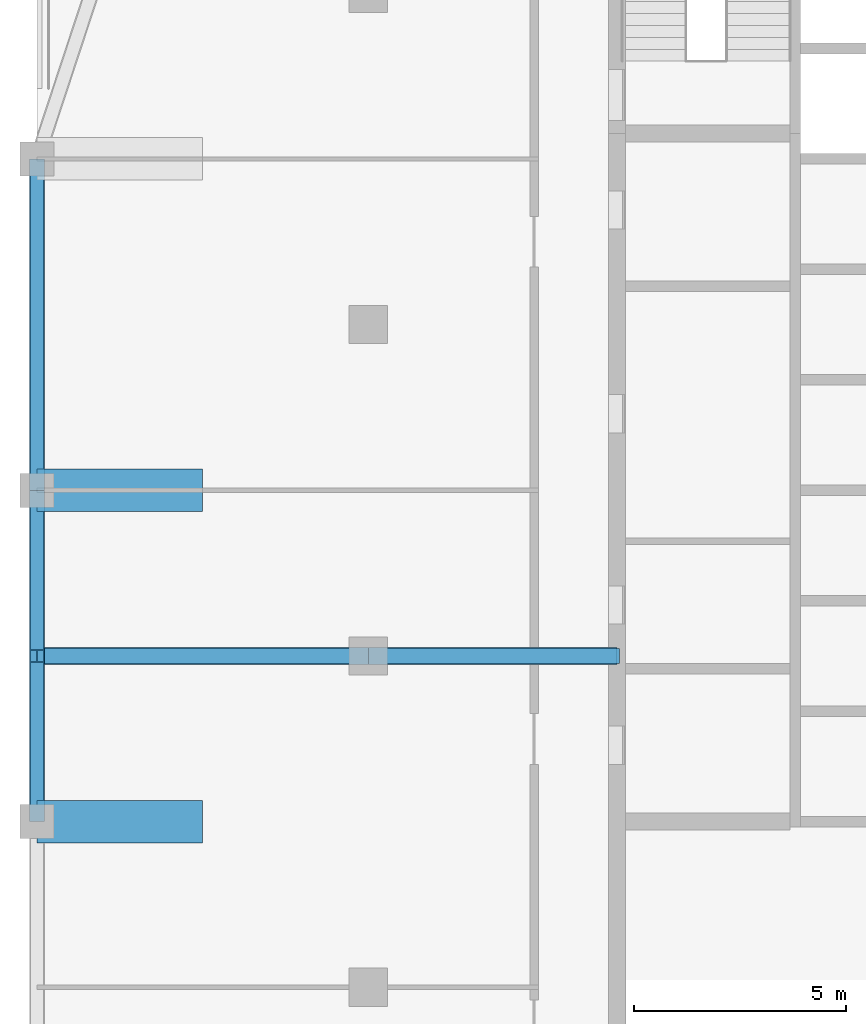
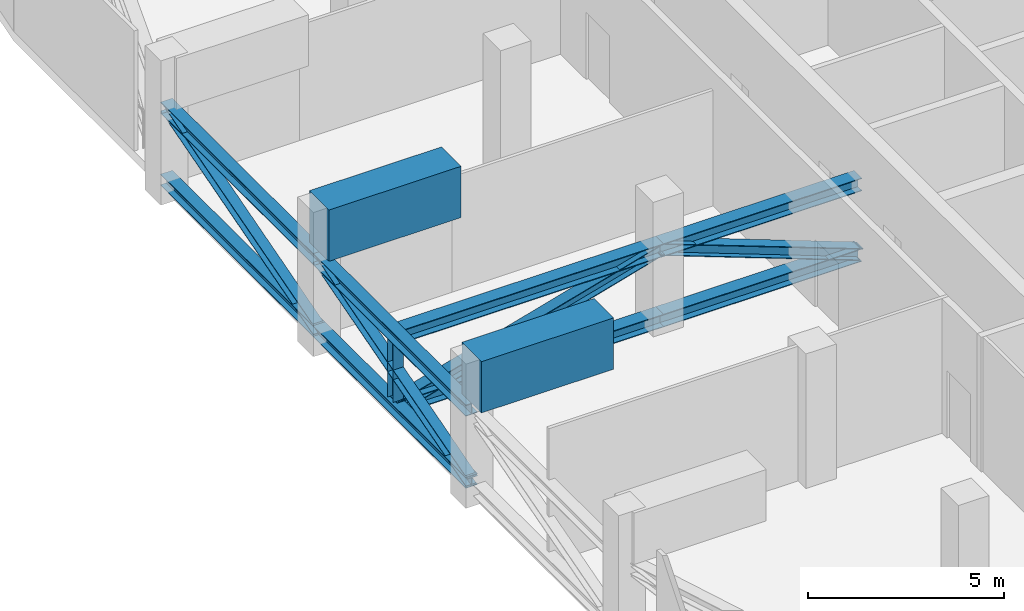
# One storey, part 3 of 13: 13 members, 2 beams.
"""IFC4 building model written with IfcOpenShell, lengths in metres."""

from ifc_helpers import new_model, si_unit, direction, frame, origin, origin_2d, place, context, subcontext, project, spatial, rectangle, i_section, extrude, material, material_profile, profile_set, type_object, element, save


model = new_model("IFC4")

# Units and contexts
model_context = context("Model", 3, precision=1e-05, world=origin(), true_north=direction((0.0, 1.0)))
body_context = subcontext(model_context, "Body", "Model", "MODEL_VIEW")
ifc_project = project(units=[si_unit("LENGTHUNIT", "METRE"), si_unit("AREAUNIT", "SQUARE_METRE"), si_unit("VOLUMEUNIT", "CUBIC_METRE"), si_unit("PLANEANGLEUNIT", "RADIAN"), si_unit("MASSUNIT", "GRAM", prefix="KILO")], contexts=[model_context])

# Site, building, storey
site_placement = place(None, origin())
site = spatial("IfcSite", under=ifc_project, at=site_placement, CompositionType="ELEMENT")
building_placement = place(site_placement, origin())
building = spatial("IfcBuilding", under=site, at=building_placement, Name="Ludao Terraces", CompositionType="ELEMENT")
storey_placement = place(building_placement, frame((0.0, 0.0, 241.5)))
storey = spatial("IfcBuildingStorey", under=building, at=storey_placement, Name="L66", CompositionType="ELEMENT", Elevation=241.5)

# Members
ifc_material_1 = material(Name="Steel Q355", Category="steel")
ifc_material_profile_1 = material_profile(ifc_material_1, i_section(OverallWidth=0.35009765625, OverallDepth=0.35009765625, WebThickness=0.011962890625, FlangeThickness=0.01904296875, at=origin_2d()), Name="HW 350X350X12X19")
ifc_profile_set_1 = profile_set([ifc_material_profile_1], Name="Steel Q355")
member_type_1 = type_object("IfcMemberType", Name="Belt truss chord HW 350x350x12x19 Q355", PredefinedType="CHORD", material=ifc_profile_set_1)
for number, where, z_axis, x_axis, name in (
    (1, (61.60009765625, 61.10009765625, 2.425048828125), (0.0, 1.0, 0.0), (-1.0, 0.0, 0.0), "Truss chord L66 BT10T1"),
    (2, (61.60009765625, 61.10009765625, 0.175048828125), (0.0, 1.0, 0.0), (-1.0, 0.0, 0.0), "Truss chord L66 BT10B1"),
):
    element("IfcMember", number, at=place(storey_placement, frame(where, z_axis=z_axis, x_axis=x_axis)), inside=storey, type_object=member_type_1, Name=name, PredefinedType="CHORD", context=body_context, shape_type="SweptSolid", body=[
        extrude(i_section(OverallWidth=0.35009765625, OverallDepth=0.35009765625, WebThickness=0.011962890625, FlangeThickness=0.01904296875, at=origin_2d()), origin(), (0.0, 0.0, 1.0), 7.7998046875),
    ])
for number, where, z_axis, x_axis, name in (
    (3, (61.60009765625, 68.89990234375, 2.425048828125), (0.0, 1.0, 0.0), (-1.0, 0.0, 0.0), "Truss chord L66 BT11T1"),
    (4, (61.60009765625, 68.89990234375, 0.175048828125), (0.0, 1.0, 0.0), (-1.0, 0.0, 0.0), "Truss chord L66 BT11B1"),
):
    element("IfcMember", number, at=place(storey_placement, frame(where, z_axis=z_axis, x_axis=x_axis)), inside=storey, type_object=member_type_1, Name=name, PredefinedType="CHORD", context=body_context, shape_type="SweptSolid", body=[
        extrude(i_section(OverallWidth=0.35009765625, OverallDepth=0.35009765625, WebThickness=0.011962890625, FlangeThickness=0.01904296875, at=origin_2d()), origin(), (0.0, 0.0, 1.0), 7.800048828125),
    ])
ifc_material_profile_2 = material_profile(ifc_material_1, i_section(OverallWidth=0.300048828125, OverallDepth=0.300048828125, WebThickness=0.010009765625, FlangeThickness=0.014892578125, at=origin_2d()), Name="HW 300X300X10X15")
ifc_profile_set_2 = profile_set([ifc_material_profile_2], Name="Steel Q355")
member_type_2 = type_object("IfcMemberType", Name="Belt truss diagonal HW 300x300x10x15 Q355", PredefinedType="BRACE", material=ifc_profile_set_2)
member_1_placement = place(storey_placement, frame((61.60009765625, 61.10009765625, 0.175048828125), z_axis=(0.0, 0.960821742945, 0.277167058438), x_axis=(-1.0, 0.0, 0.0)))
element("IfcMember", 5, at=member_1_placement, inside=storey, type_object=member_type_2, Name="Truss diagonal L66 BT101", PredefinedType="BRACE", context=body_context, shape_type="SweptSolid", body=[
    extrude(i_section(OverallWidth=0.300048828125, OverallDepth=0.300048828125, WebThickness=0.010009765625, FlangeThickness=0.014892578125, at=origin_2d()), origin(), (0.0, 0.0, 1.0), 8.117919921875),
])
member_2_placement = place(storey_placement, frame((61.60009765625, 68.89990234375, 0.175048828125), z_axis=(0.0, 0.96082405322, 0.277159049563), x_axis=(-1.0, 0.0, 0.0)))
element("IfcMember", 6, at=member_2_placement, inside=storey, type_object=member_type_2, Name="Truss diagonal L66 BT111", PredefinedType="BRACE", context=body_context, shape_type="SweptSolid", body=[
    extrude(i_section(OverallWidth=0.300048828125, OverallDepth=0.300048828125, WebThickness=0.010009765625, FlangeThickness=0.014892578125, at=origin_2d()), origin(), (0.0, 0.0, 1.0), 8.1181640625),
])
ifc_material_profile_3 = material_profile(ifc_material_1, i_section(OverallWidth=0.39990234375, OverallDepth=0.39990234375, WebThickness=0.012939453125, FlangeThickness=0.02099609375, at=origin_2d()), Name="HW 400X400X13X21")
ifc_profile_set_3 = profile_set([ifc_material_profile_3], Name="Steel Q355")
member_type_3 = type_object("IfcMemberType", Name="Outrigger chord HW 400x400x13x21 Q355", PredefinedType="CHORD", material=ifc_profile_set_3)
for number, where, z_axis, x_axis, name in (
    (7, (75.25, 65.0, 2.39990234375), (-1.0, 0.0, 0.0), (0.0, -1.0, 0.0), "Truss chord L66 ORWT1"),
    (8, (75.25, 65.0, 0.199951171875), (-1.0, 0.0, 0.0), (0.0, -1.0, 0.0), "Truss chord L66 ORWB1"),
):
    element("IfcMember", number, at=place(storey_placement, frame(where, z_axis=z_axis, x_axis=x_axis)), inside=storey, type_object=member_type_3, Name=name, PredefinedType="CHORD", context=body_context, shape_type="SweptSolid", body=[
        extrude(i_section(OverallWidth=0.39990234375, OverallDepth=0.39990234375, WebThickness=0.012939453125, FlangeThickness=0.02099609375, at=origin_2d()), origin(), (0.0, 0.0, 1.0), 5.85009765625),
    ])
for number, where, z_axis, x_axis, name in (
    (9, (69.39990234375, 65.0, 2.39990234375), (-1.0, 0.0, 0.0), (0.0, -1.0, 0.0), "Truss chord L66 ORWT2"),
    (10, (69.39990234375, 65.0, 0.199951171875), (-1.0, 0.0, 0.0), (0.0, -1.0, 0.0), "Truss chord L66 ORWB2"),
):
    element("IfcMember", number, at=place(storey_placement, frame(where, z_axis=z_axis, x_axis=x_axis)), inside=storey, type_object=member_type_3, Name=name, PredefinedType="CHORD", context=body_context, shape_type="SweptSolid", body=[
        extrude(i_section(OverallWidth=0.39990234375, OverallDepth=0.39990234375, WebThickness=0.012939453125, FlangeThickness=0.02099609375, at=origin_2d()), origin(), (0.0, 0.0, 1.0), 7.7998046875),
    ])
ifc_material_profile_4 = material_profile(ifc_material_1, i_section(OverallWidth=0.35009765625, OverallDepth=0.35009765625, WebThickness=0.011962890625, FlangeThickness=0.01904296875, at=origin_2d()), Name="HW 350X350X12X19")
ifc_profile_set_4 = profile_set([ifc_material_profile_4], Name="Steel Q355")
member_type_4 = type_object("IfcMemberType", Name="Outrigger diagonal HW 350x350x12x19 Q355", PredefinedType="BRACE", material=ifc_profile_set_4)
member_3_placement = place(storey_placement, frame((75.25, 65.0, 0.199951171875), z_axis=(-0.93600450987, 0.0, 0.351988007614), x_axis=(0.0, -1.0, 0.0)))
element("IfcMember", 11, at=member_3_placement, inside=storey, type_object=member_type_4, Name="Truss diagonal L66 ORW1", PredefinedType="BRACE", context=body_context, shape_type="SweptSolid", body=[
    extrude(i_section(OverallWidth=0.35009765625, OverallDepth=0.35009765625, WebThickness=0.011962890625, FlangeThickness=0.01904296875, at=origin_2d()), origin(), (0.0, 0.0, 1.0), 6.25),
])
member_4_placement = place(storey_placement, frame((69.39990234375, 65.0, 2.39990234375), z_axis=(-0.962449474171, 0.0, -0.271460880548), x_axis=(0.0, -1.0, 0.0)))
element("IfcMember", 12, at=member_4_placement, inside=storey, type_object=member_type_4, Name="Truss diagonal L66 ORW2", PredefinedType="BRACE", context=body_context, shape_type="SweptSolid", body=[
    extrude(i_section(OverallWidth=0.35009765625, OverallDepth=0.35009765625, WebThickness=0.011962890625, FlangeThickness=0.01904296875, at=origin_2d()), origin(), (0.0, 0.0, 1.0), 8.10400390625),
])
ifc_material_profile_5 = material_profile(ifc_material_1, i_section(OverallWidth=0.300048828125, OverallDepth=0.300048828125, WebThickness=0.010009765625, FlangeThickness=0.014892578125, at=origin_2d()), Name="HW 300X300X10X15")
ifc_profile_set_5 = profile_set([ifc_material_profile_5], Name="Steel Q355")
member_type_5 = type_object("IfcMemberType", Name="Outrigger post HW 300x300x10x15 Q355", PredefinedType="POST", material=ifc_profile_set_5)
member_5_placement = place(storey_placement, frame((61.60009765625, 65.0, 0.39990234375), z_axis=(0.0, 0.0, 1.0), x_axis=(1.0, 0.0, 0.0)))
element("IfcMember", 13, at=member_5_placement, inside=storey, type_object=member_type_5, Name="Truss post L66 ORW3", PredefinedType="POST", context=body_context, shape_type="SweptSolid", body=[
    extrude(i_section(OverallWidth=0.300048828125, OverallDepth=0.300048828125, WebThickness=0.010009765625, FlangeThickness=0.014892578125, at=origin_2d()), origin(), (0.0, 0.0, 1.0), 1.800048828125),
])

# Beams
ifc_material_2 = material(Name="Concrete C60", Category="concrete")
ifc_material_profile_6 = material_profile(ifc_material_2, rectangle(XDim=1.0, YDim=1.60009765625, at=origin_2d()), Name="1000 X 1600")
ifc_profile_set_6 = profile_set([ifc_material_profile_6], Name="Concrete C60")
beam_type = type_object("IfcBeamType", Name="RC beam 1000x1600 C60", PredefinedType="BEAM", material=ifc_profile_set_6)
for number, where, z_axis, x_axis, name in (
    (14, (61.60009765625, 61.10009765625, 3.39990234375), (1.0, 0.0, 0.0), (0.0, 1.0, 0.0), "Transfer girder L66 corbel 2"),
    (15, (61.60009765625, 68.89990234375, 3.39990234375), (1.0, 0.0, 0.0), (0.0, 1.0, 0.0), "Transfer girder L66 corbel 3"),
):
    element("IfcBeam", number, at=place(storey_placement, frame(where, z_axis=z_axis, x_axis=x_axis)), inside=storey, type_object=beam_type, Name=name, PredefinedType="BEAM", context=body_context, shape_type="SweptSolid", body=[
        extrude(rectangle(XDim=1.0, YDim=1.60009765625, at=origin_2d()), origin(), (0.0, 0.0, 1.0), 3.89990234375),
    ])

save(model, "model.ifc")
